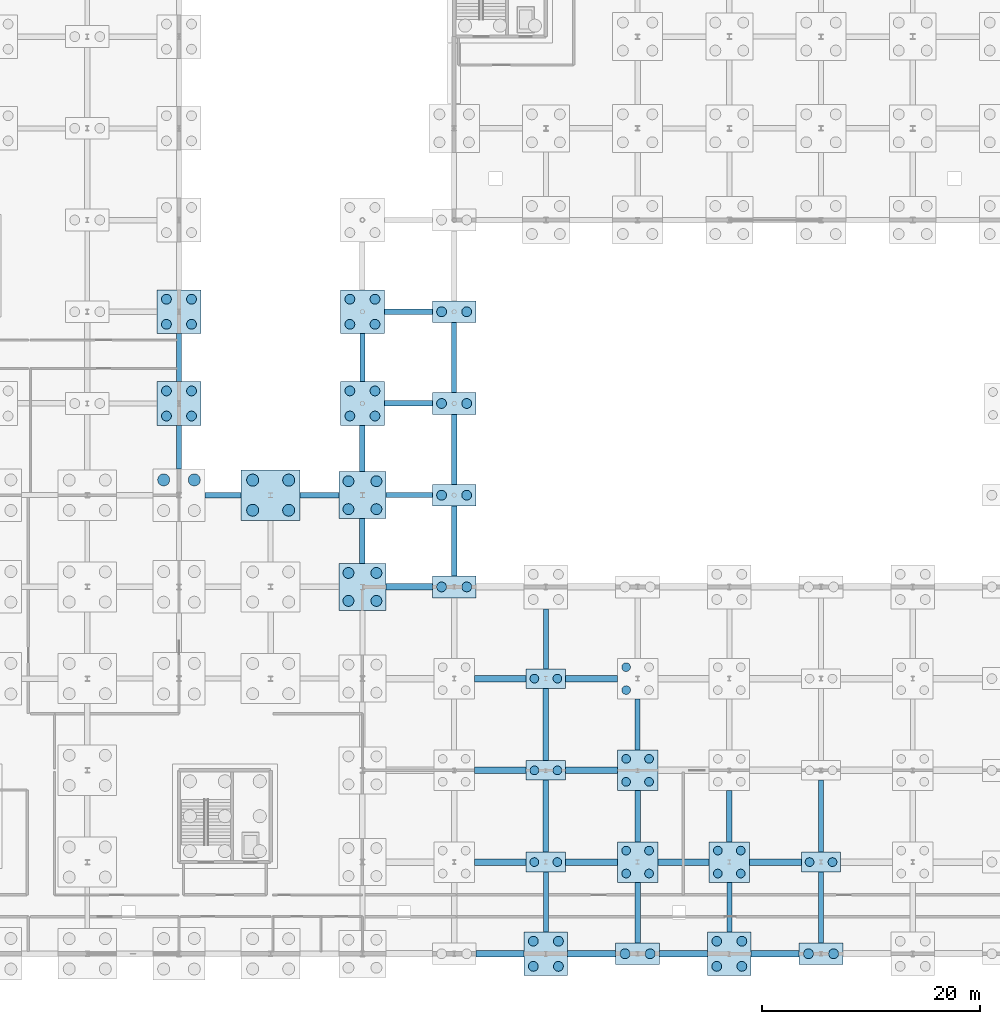
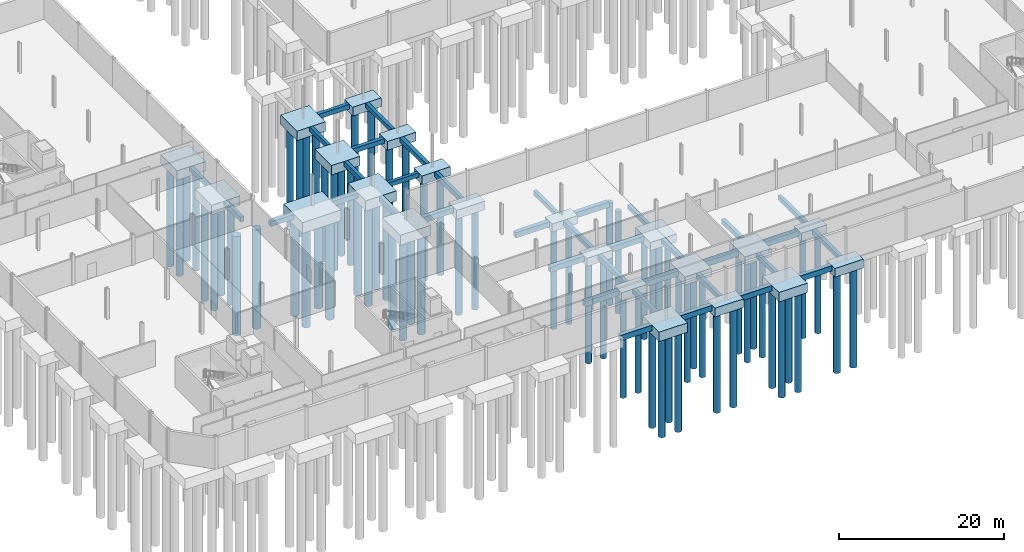
# One storey, part 3 of 51: 72 piles, 59 footings.
"""IFC4 building model written with IfcOpenShell, lengths in metres."""

from ifc_helpers import new_model, si_unit, direction, frame, origin, origin_2d, place, context, subcontext, project, spatial, rectangle, circle, extrude, material, material_profile, profile_set, type_object, element, save


model = new_model("IFC4")

# Units and contexts
model_context = context("Model", 3, precision=1e-05, world=origin(), true_north=direction((0.0, 1.0)))
body_context = subcontext(model_context, "Body", "Model", "MODEL_VIEW")
ifc_project = project(units=[si_unit("LENGTHUNIT", "METRE"), si_unit("AREAUNIT", "SQUARE_METRE"), si_unit("VOLUMEUNIT", "CUBIC_METRE"), si_unit("PLANEANGLEUNIT", "RADIAN"), si_unit("MASSUNIT", "GRAM", prefix="KILO")], contexts=[model_context])

# Site, building, storey
site_placement = place(None, origin())
site = spatial("IfcSite", under=ifc_project, at=site_placement, CompositionType="ELEMENT")
building_placement = place(site_placement, origin())
building = spatial("IfcBuilding", under=site, at=building_placement, Name="Qalvenar Corner Mobility Hub", CompositionType="ELEMENT")
storey_placement = place(building_placement, frame((0.0, 0.0, -4.5)))
storey = spatial("IfcBuildingStorey", under=building, at=storey_placement, Name="B1", CompositionType="ELEMENT", Elevation=-4.5)

# Footings
ifc_material = material(Name="Concrete C40/50", Category="concrete")
footing_type_1 = type_object("IfcFootingType", Name="PC-24X24X12", PredefinedType="PILE_CAP", material=ifc_material)
for number, where, z_axis, x_axis, name in (
    (1, (67.199951171875, 8.39990234375, -1.5498046875), (0.0, 0.0, 1.0), (1.0, 0.0, 0.0), "Pile Cap G9-1"),
    (2, (67.199951171875, 16.800048828125, -1.5498046875), (0.0, 0.0, 1.0), (1.0, 0.0, 0.0), "Pile Cap G9-2"),
    (3, (67.199951171875, 25.199951171875, -1.5498046875), (0.0, 0.0, 1.0), (1.0, 0.0, 0.0), "Pile Cap G9-3"),
    (4, (92.39990234375, 8.39990234375, -1.5498046875), (0.0, 0.0, 1.0), (1.0, 0.0, 0.0), "Pile Cap G12-1"),
):
    element("IfcFooting", number, at=place(storey_placement, frame(where, z_axis=z_axis, x_axis=x_axis)), inside=storey, type_object=footing_type_1, Name=name, PredefinedType="PILE_CAP", context=body_context, shape_type="SweptSolid", body=[
        extrude(rectangle(XDim=3.60009765625, YDim=1.800048828125, at=origin_2d()), origin(), (0.0, 0.0, 1.0), 1.199951171875),
    ])
footing_type_2 = type_object("IfcFootingType", Name="PC-28X28X12", PredefinedType="PILE_CAP", material=ifc_material)
for number, where, z_axis, x_axis, name in (
    (5, (75.60009765625, 8.39990234375, -1.5498046875), (0.0, 0.0, 1.0), (1.0, 0.0, 0.0), "Pile Cap G10-1"),
    (6, (75.60009765625, 16.800048828125, -1.5498046875), (0.0, 0.0, 1.0), (1.0, 0.0, 0.0), "Pile Cap G10-2"),
    (7, (84.0, 8.39990234375, -1.5498046875), (0.0, 0.0, 1.0), (1.0, 0.0, 0.0), "Pile Cap G11-1"),
):
    element("IfcFooting", number, at=place(storey_placement, frame(where, z_axis=z_axis, x_axis=x_axis)), inside=storey, type_object=footing_type_2, Name=name, PredefinedType="PILE_CAP", context=body_context, shape_type="SweptSolid", body=[
        extrude(rectangle(XDim=3.699951171875, YDim=3.699951171875, at=origin_2d()), origin(), (0.0, 0.0, 1.0), 1.199951171875),
    ])
footing_type_3 = type_object("IfcFootingType", Name="PC-32X24X13", PredefinedType="PILE_CAP", material=ifc_material)
for number, where, z_axis, x_axis, name in (
    (8, (58.800048828125, 33.60009765625, -1.64990234375), (0.0, 0.0, 1.0), (1.0, 0.0, 0.0), "Pile Cap G8-4"),
    (9, (58.800048828125, 42.0, -1.64990234375), (0.0, 0.0, 1.0), (1.0, 0.0, 0.0), "Pile Cap G8-5"),
    (10, (58.800048828125, 50.39990234375, -1.64990234375), (0.0, 0.0, 1.0), (1.0, 0.0, 0.0), "Pile Cap G8-6"),
    (11, (58.800048828125, 58.800048828125, -1.64990234375), (0.0, 0.0, 1.0), (1.0, 0.0, 0.0), "Pile Cap G8-7"),
    (12, (75.60009765625, 0.0, -1.64990234375), (0.0, 0.0, 1.0), (1.0, 0.0, 0.0), "Pile Cap G10-0"),
    (13, (92.39990234375, 0.0, -1.64990234375), (0.0, 0.0, 1.0), (1.0, 0.0, 0.0), "Pile Cap G12-0"),
):
    element("IfcFooting", number, at=place(storey_placement, frame(where, z_axis=z_axis, x_axis=x_axis)), inside=storey, type_object=footing_type_3, Name=name, PredefinedType="PILE_CAP", context=body_context, shape_type="SweptSolid", body=[
        extrude(rectangle(XDim=4.0, YDim=2.0, at=origin_2d()), origin(), (0.0, 0.0, 1.0), 1.300048828125),
    ])
footing_type_4 = type_object("IfcFootingType", Name="PC-34X34X14", PredefinedType="PILE_CAP", material=ifc_material)
for number, where, z_axis, x_axis, name in (
    (14, (33.60009765625, 50.39990234375, -1.75), (0.0, 0.0, 1.0), (1.0, 0.0, 0.0), "Pile Cap G5-6"),
    (15, (33.60009765625, 58.800048828125, -1.75), (0.0, 0.0, 1.0), (1.0, 0.0, 0.0), "Pile Cap G5-7"),
    (16, (50.39990234375, 50.39990234375, -1.75), (0.0, 0.0, 1.0), (1.0, 0.0, 0.0), "Pile Cap G7-6"),
    (17, (50.39990234375, 58.800048828125, -1.75), (0.0, 0.0, 1.0), (1.0, 0.0, 0.0), "Pile Cap G7-7"),
    (18, (67.199951171875, 0.0, -1.75), (0.0, 0.0, 1.0), (1.0, 0.0, 0.0), "Pile Cap G9-0"),
    (19, (84.0, 0.0, -1.75), (0.0, 0.0, 1.0), (1.0, 0.0, 0.0), "Pile Cap G11-0"),
):
    element("IfcFooting", number, at=place(storey_placement, frame(where, z_axis=z_axis, x_axis=x_axis)), inside=storey, type_object=footing_type_4, Name=name, PredefinedType="PILE_CAP", context=body_context, shape_type="SweptSolid", body=[
        extrude(rectangle(XDim=4.0, YDim=4.0, at=origin_2d()), origin(), (0.0, 0.0, 1.0), 1.39990234375),
    ])
footing_type_5 = type_object("IfcFootingType", Name="PC-38X38X15", PredefinedType="PILE_CAP", material=ifc_material)
for number, where, z_axis, x_axis, name in (
    (20, (50.39990234375, 33.60009765625, -1.85009765625), (0.0, 0.0, 1.0), (1.0, 0.0, 0.0), "Pile Cap G7-4"),
    (21, (50.39990234375, 42.0, -1.85009765625), (0.0, 0.0, 1.0), (1.0, 0.0, 0.0), "Pile Cap G7-5"),
):
    element("IfcFooting", number, at=place(storey_placement, frame(where, z_axis=z_axis, x_axis=x_axis)), inside=storey, type_object=footing_type_5, Name=name, PredefinedType="PILE_CAP", context=body_context, shape_type="SweptSolid", body=[
        extrude(rectangle(XDim=4.300048828125, YDim=4.300048828125, at=origin_2d()), origin(), (0.0, 0.0, 1.0), 1.5),
    ])
footing_type_6 = type_object("IfcFootingType", Name="PC-52X42X16", PredefinedType="PILE_CAP", material=ifc_material)
footing_1_placement = place(storey_placement, frame((42.0, 42.0, -1.949951171875), z_axis=(0.0, 0.0, 1.0), x_axis=(1.0, 0.0, 0.0)))
element("IfcFooting", 22, at=footing_1_placement, inside=storey, type_object=footing_type_6, Name="Pile Cap G6-5", PredefinedType="PILE_CAP", context=body_context, shape_type="SweptSolid", body=[
    extrude(rectangle(XDim=5.39990234375, YDim=4.60009765625, at=origin_2d()), origin(), (0.0, 0.0, 1.0), 1.60009765625),
])

# Piles
ifc_material_profile_1 = material_profile(ifc_material, circle(Radius=0.5, at=origin_2d()), Name="DIA1000")
ifc_profile_set_1 = profile_set([ifc_material_profile_1], Name="Concrete C40/50")
pile_type_1 = type_object("IfcPileType", Name="PILE-1000", PredefinedType="BORED", material=ifc_profile_set_1)
for number, where, z_axis, x_axis, name in (
    (23, (49.1201171875, 32.320068359375, -1.699951171875), (0.0, 0.0, -1.0), (1.0, 0.0, 0.0), "Bored Pile G7-4-1"),
    (24, (49.1201171875, 34.8798828125, -1.699951171875), (0.0, 0.0, -1.0), (1.0, 0.0, 0.0), "Bored Pile G7-4-2"),
    (25, (51.679931640625, 32.320068359375, -1.699951171875), (0.0, 0.0, -1.0), (1.0, 0.0, 0.0), "Bored Pile G7-4-3"),
    (26, (51.679931640625, 34.8798828125, -1.699951171875), (0.0, 0.0, -1.0), (1.0, 0.0, 0.0), "Bored Pile G7-4-4"),
    (27, (49.1201171875, 40.719970703125, -1.699951171875), (0.0, 0.0, -1.0), (1.0, 0.0, 0.0), "Bored Pile G7-5-1"),
    (28, (49.1201171875, 43.280029296875, -1.699951171875), (0.0, 0.0, -1.0), (1.0, 0.0, 0.0), "Bored Pile G7-5-2"),
    (29, (51.679931640625, 40.719970703125, -1.699951171875), (0.0, 0.0, -1.0), (1.0, 0.0, 0.0), "Bored Pile G7-5-3"),
    (30, (51.679931640625, 43.280029296875, -1.699951171875), (0.0, 0.0, -1.0), (1.0, 0.0, 0.0), "Bored Pile G7-5-4"),
):
    element("IfcPile", number, at=place(storey_placement, frame(where, z_axis=z_axis, x_axis=x_axis)), inside=storey, type_object=pile_type_1, Name=name, PredefinedType="BORED", context=body_context, shape_type="SweptSolid", body=[
        extrude(circle(Radius=0.5, at=origin_2d()), origin(), (0.0, 0.0, 1.0), 14.800048828125),
    ])
ifc_material_profile_2 = material_profile(ifc_material, circle(Radius=0.550048828125, at=origin_2d()), Name="DIA1100")
ifc_profile_set_2 = profile_set([ifc_material_profile_2], Name="Concrete C40/50")
pile_type_2 = type_object("IfcPileType", Name="PILE-1100", PredefinedType="BORED", material=ifc_profile_set_2)
for number, where, z_axis, x_axis, name in (
    (31, (32.199951171875, 43.39990234375, -1.800048828125), (0.0, 0.0, -1.0), (1.0, 0.0, 0.0), "Bored Pile G5-5-2"),
    (32, (35.0, 43.39990234375, -1.800048828125), (0.0, 0.0, -1.0), (1.0, 0.0, 0.0), "Bored Pile G5-5-4"),
    (33, (40.35009765625, 40.6201171875, -1.800048828125), (0.0, 0.0, -1.0), (1.0, 0.0, 0.0), "Bored Pile G6-5-1"),
    (34, (40.35009765625, 43.3798828125, -1.800048828125), (0.0, 0.0, -1.0), (1.0, 0.0, 0.0), "Bored Pile G6-5-2"),
    (35, (43.64990234375, 40.6201171875, -1.800048828125), (0.0, 0.0, -1.0), (1.0, 0.0, 0.0), "Bored Pile G6-5-3"),
    (36, (43.64990234375, 43.3798828125, -1.800048828125), (0.0, 0.0, -1.0), (1.0, 0.0, 0.0), "Bored Pile G6-5-4"),
):
    element("IfcPile", number, at=place(storey_placement, frame(where, z_axis=z_axis, x_axis=x_axis)), inside=storey, type_object=pile_type_2, Name=name, PredefinedType="BORED", context=body_context, shape_type="SweptSolid", body=[
        extrude(circle(Radius=0.550048828125, at=origin_2d()), origin(), (0.0, 0.0, 1.0), 14.699951171875),
    ])
ifc_material_profile_3 = material_profile(ifc_material, circle(Radius=0.39990234375, at=origin_2d()), Name="DIA800")
ifc_profile_set_3 = profile_set([ifc_material_profile_3], Name="Concrete C40/50")
pile_type_3 = type_object("IfcPileType", Name="PILE-800", PredefinedType="BORED", material=ifc_profile_set_3)
for number, where, z_axis, x_axis, name in (
    (37, (66.14990234375, 8.39990234375, -1.39990234375), (0.0, 0.0, -1.0), (1.0, 0.0, 0.0), "Bored Pile G9-1-1"),
    (38, (68.25, 8.39990234375, -1.39990234375), (0.0, 0.0, -1.0), (1.0, 0.0, 0.0), "Bored Pile G9-1-2"),
    (39, (66.14990234375, 16.800048828125, -1.39990234375), (0.0, 0.0, -1.0), (1.0, 0.0, 0.0), "Bored Pile G9-2-1"),
    (40, (68.25, 16.800048828125, -1.39990234375), (0.0, 0.0, -1.0), (1.0, 0.0, 0.0), "Bored Pile G9-2-2"),
    (41, (66.14990234375, 25.199951171875, -1.39990234375), (0.0, 0.0, -1.0), (1.0, 0.0, 0.0), "Bored Pile G9-3-1"),
    (42, (68.25, 25.199951171875, -1.39990234375), (0.0, 0.0, -1.0), (1.0, 0.0, 0.0), "Bored Pile G9-3-2"),
    (43, (74.550048828125, 7.35009765625, -1.39990234375), (0.0, 0.0, -1.0), (1.0, 0.0, 0.0), "Bored Pile G10-1-1"),
    (44, (74.550048828125, 9.449951171875, -1.39990234375), (0.0, 0.0, -1.0), (1.0, 0.0, 0.0), "Bored Pile G10-1-2"),
    (45, (76.64990234375, 7.35009765625, -1.39990234375), (0.0, 0.0, -1.0), (1.0, 0.0, 0.0), "Bored Pile G10-1-3"),
    (46, (76.64990234375, 9.449951171875, -1.39990234375), (0.0, 0.0, -1.0), (1.0, 0.0, 0.0), "Bored Pile G10-1-4"),
    (47, (74.550048828125, 15.75, -1.39990234375), (0.0, 0.0, -1.0), (1.0, 0.0, 0.0), "Bored Pile G10-2-1"),
    (48, (74.550048828125, 17.85009765625, -1.39990234375), (0.0, 0.0, -1.0), (1.0, 0.0, 0.0), "Bored Pile G10-2-2"),
    (49, (76.64990234375, 15.75, -1.39990234375), (0.0, 0.0, -1.0), (1.0, 0.0, 0.0), "Bored Pile G10-2-3"),
    (50, (76.64990234375, 17.85009765625, -1.39990234375), (0.0, 0.0, -1.0), (1.0, 0.0, 0.0), "Bored Pile G10-2-4"),
    (51, (74.550048828125, 24.14990234375, -1.39990234375), (0.0, 0.0, -1.0), (1.0, 0.0, 0.0), "Bored Pile G10-3-1"),
    (52, (74.550048828125, 26.25, -1.39990234375), (0.0, 0.0, -1.0), (1.0, 0.0, 0.0), "Bored Pile G10-3-2"),
    (53, (82.949951171875, 7.35009765625, -1.39990234375), (0.0, 0.0, -1.0), (1.0, 0.0, 0.0), "Bored Pile G11-1-1"),
    (54, (82.949951171875, 9.449951171875, -1.39990234375), (0.0, 0.0, -1.0), (1.0, 0.0, 0.0), "Bored Pile G11-1-2"),
    (55, (85.050048828125, 7.35009765625, -1.39990234375), (0.0, 0.0, -1.0), (1.0, 0.0, 0.0), "Bored Pile G11-1-3"),
    (56, (85.050048828125, 9.449951171875, -1.39990234375), (0.0, 0.0, -1.0), (1.0, 0.0, 0.0), "Bored Pile G11-1-4"),
    (57, (91.35009765625, 8.39990234375, -1.39990234375), (0.0, 0.0, -1.0), (1.0, 0.0, 0.0), "Bored Pile G12-1-1"),
    (58, (93.449951171875, 8.39990234375, -1.39990234375), (0.0, 0.0, -1.0), (1.0, 0.0, 0.0), "Bored Pile G12-1-2"),
):
    element("IfcPile", number, at=place(storey_placement, frame(where, z_axis=z_axis, x_axis=x_axis)), inside=storey, type_object=pile_type_3, Name=name, PredefinedType="BORED", context=body_context, shape_type="SweptSolid", body=[
        extrude(circle(Radius=0.39990234375, at=origin_2d()), origin(), (0.0, 0.0, 1.0), 15.10009765625),
    ])
ifc_material_profile_4 = material_profile(ifc_material, circle(Radius=0.449951171875, at=origin_2d()), Name="DIA900")
ifc_profile_set_4 = profile_set([ifc_material_profile_4], Name="Concrete C40/50")
pile_type_4 = type_object("IfcPileType", Name="PILE-900", PredefinedType="BORED", material=ifc_profile_set_4)
for number, where, z_axis, x_axis, name in (
    (59, (32.449951171875, 49.25, -1.60009765625), (0.0, 0.0, -1.0), (1.0, 0.0, 0.0), "Bored Pile G5-6-1"),
    (60, (32.449951171875, 51.550048828125, -1.60009765625), (0.0, 0.0, -1.0), (1.0, 0.0, 0.0), "Bored Pile G5-6-2"),
    (61, (34.75, 49.25, -1.60009765625), (0.0, 0.0, -1.0), (1.0, 0.0, 0.0), "Bored Pile G5-6-3"),
    (62, (34.75, 51.550048828125, -1.60009765625), (0.0, 0.0, -1.0), (1.0, 0.0, 0.0), "Bored Pile G5-6-4"),
    (63, (32.449951171875, 57.64990234375, -1.60009765625), (0.0, 0.0, -1.0), (1.0, 0.0, 0.0), "Bored Pile G5-7-1"),
    (64, (32.449951171875, 59.949951171875, -1.60009765625), (0.0, 0.0, -1.0), (1.0, 0.0, 0.0), "Bored Pile G5-7-2"),
    (65, (34.75, 57.64990234375, -1.60009765625), (0.0, 0.0, -1.0), (1.0, 0.0, 0.0), "Bored Pile G5-7-3"),
    (66, (34.75, 59.949951171875, -1.60009765625), (0.0, 0.0, -1.0), (1.0, 0.0, 0.0), "Bored Pile G5-7-4"),
    (67, (49.25, 49.25, -1.60009765625), (0.0, 0.0, -1.0), (1.0, 0.0, 0.0), "Bored Pile G7-6-1"),
    (68, (49.25, 51.550048828125, -1.60009765625), (0.0, 0.0, -1.0), (1.0, 0.0, 0.0), "Bored Pile G7-6-2"),
    (69, (51.550048828125, 49.25, -1.60009765625), (0.0, 0.0, -1.0), (1.0, 0.0, 0.0), "Bored Pile G7-6-3"),
    (70, (51.550048828125, 51.550048828125, -1.60009765625), (0.0, 0.0, -1.0), (1.0, 0.0, 0.0), "Bored Pile G7-6-4"),
    (71, (49.25, 57.64990234375, -1.60009765625), (0.0, 0.0, -1.0), (1.0, 0.0, 0.0), "Bored Pile G7-7-1"),
    (72, (49.25, 59.949951171875, -1.60009765625), (0.0, 0.0, -1.0), (1.0, 0.0, 0.0), "Bored Pile G7-7-2"),
    (73, (51.550048828125, 57.64990234375, -1.60009765625), (0.0, 0.0, -1.0), (1.0, 0.0, 0.0), "Bored Pile G7-7-3"),
    (74, (51.550048828125, 59.949951171875, -1.60009765625), (0.0, 0.0, -1.0), (1.0, 0.0, 0.0), "Bored Pile G7-7-4"),
):
    element("IfcPile", number, at=place(storey_placement, frame(where, z_axis=z_axis, x_axis=x_axis)), inside=storey, type_object=pile_type_4, Name=name, PredefinedType="BORED", context=body_context, shape_type="SweptSolid", body=[
        extrude(circle(Radius=0.449951171875, at=origin_2d()), origin(), (0.0, 0.0, 1.0), 14.89990234375),
    ])
for number, where, z_axis, x_axis, name in (
    (75, (57.64990234375, 33.60009765625, -1.5), (0.0, 0.0, -1.0), (1.0, 0.0, 0.0), "Bored Pile G8-4-1"),
    (76, (59.949951171875, 33.60009765625, -1.5), (0.0, 0.0, -1.0), (1.0, 0.0, 0.0), "Bored Pile G8-4-2"),
    (77, (57.64990234375, 42.0, -1.5), (0.0, 0.0, -1.0), (1.0, 0.0, 0.0), "Bored Pile G8-5-1"),
    (78, (59.949951171875, 42.0, -1.5), (0.0, 0.0, -1.0), (1.0, 0.0, 0.0), "Bored Pile G8-5-2"),
    (79, (57.64990234375, 50.39990234375, -1.5), (0.0, 0.0, -1.0), (1.0, 0.0, 0.0), "Bored Pile G8-6-1"),
    (80, (59.949951171875, 50.39990234375, -1.5), (0.0, 0.0, -1.0), (1.0, 0.0, 0.0), "Bored Pile G8-6-2"),
    (81, (57.64990234375, 58.800048828125, -1.5), (0.0, 0.0, -1.0), (1.0, 0.0, 0.0), "Bored Pile G8-7-1"),
    (82, (59.949951171875, 58.800048828125, -1.5), (0.0, 0.0, -1.0), (1.0, 0.0, 0.0), "Bored Pile G8-7-2"),
):
    element("IfcPile", number, at=place(storey_placement, frame(where, z_axis=z_axis, x_axis=x_axis)), inside=storey, type_object=pile_type_4, Name=name, PredefinedType="BORED", context=body_context, shape_type="SweptSolid", body=[
        extrude(circle(Radius=0.449951171875, at=origin_2d()), origin(), (0.0, 0.0, 1.0), 15.0),
    ])
for number, where, z_axis, x_axis, name in (
    (83, (66.050048828125, -1.14990234375, -1.60009765625), (0.0, 0.0, -1.0), (1.0, 0.0, 0.0), "Bored Pile G9-0-1"),
    (84, (66.050048828125, 1.14990234375, -1.60009765625), (0.0, 0.0, -1.0), (1.0, 0.0, 0.0), "Bored Pile G9-0-2"),
    (85, (68.35009765625, -1.14990234375, -1.60009765625), (0.0, 0.0, -1.0), (1.0, 0.0, 0.0), "Bored Pile G9-0-3"),
    (86, (68.35009765625, 1.14990234375, -1.60009765625), (0.0, 0.0, -1.0), (1.0, 0.0, 0.0), "Bored Pile G9-0-4"),
):
    element("IfcPile", number, at=place(storey_placement, frame(where, z_axis=z_axis, x_axis=x_axis)), inside=storey, type_object=pile_type_4, Name=name, PredefinedType="BORED", context=body_context, shape_type="SweptSolid", body=[
        extrude(circle(Radius=0.449951171875, at=origin_2d()), origin(), (0.0, 0.0, 1.0), 14.89990234375),
    ])
for number, where, z_axis, x_axis, name in (
    (87, (74.449951171875, 0.0, -1.5), (0.0, 0.0, -1.0), (1.0, 0.0, 0.0), "Bored Pile G10-0-1"),
    (88, (76.75, 0.0, -1.5), (0.0, 0.0, -1.0), (1.0, 0.0, 0.0), "Bored Pile G10-0-2"),
):
    element("IfcPile", number, at=place(storey_placement, frame(where, z_axis=z_axis, x_axis=x_axis)), inside=storey, type_object=pile_type_4, Name=name, PredefinedType="BORED", context=body_context, shape_type="SweptSolid", body=[
        extrude(circle(Radius=0.449951171875, at=origin_2d()), origin(), (0.0, 0.0, 1.0), 15.0),
    ])
for number, where, z_axis, x_axis, name in (
    (89, (82.85009765625, -1.14990234375, -1.60009765625), (0.0, 0.0, -1.0), (1.0, 0.0, 0.0), "Bored Pile G11-0-1"),
    (90, (82.85009765625, 1.14990234375, -1.60009765625), (0.0, 0.0, -1.0), (1.0, 0.0, 0.0), "Bored Pile G11-0-2"),
    (91, (85.14990234375, -1.14990234375, -1.60009765625), (0.0, 0.0, -1.0), (1.0, 0.0, 0.0), "Bored Pile G11-0-3"),
    (92, (85.14990234375, 1.14990234375, -1.60009765625), (0.0, 0.0, -1.0), (1.0, 0.0, 0.0), "Bored Pile G11-0-4"),
):
    element("IfcPile", number, at=place(storey_placement, frame(where, z_axis=z_axis, x_axis=x_axis)), inside=storey, type_object=pile_type_4, Name=name, PredefinedType="BORED", context=body_context, shape_type="SweptSolid", body=[
        extrude(circle(Radius=0.449951171875, at=origin_2d()), origin(), (0.0, 0.0, 1.0), 14.89990234375),
    ])
for number, where, z_axis, x_axis, name in (
    (93, (91.25, 0.0, -1.5), (0.0, 0.0, -1.0), (1.0, 0.0, 0.0), "Bored Pile G12-0-1"),
    (94, (93.550048828125, 0.0, -1.5), (0.0, 0.0, -1.0), (1.0, 0.0, 0.0), "Bored Pile G12-0-2"),
):
    element("IfcPile", number, at=place(storey_placement, frame(where, z_axis=z_axis, x_axis=x_axis)), inside=storey, type_object=pile_type_4, Name=name, PredefinedType="BORED", context=body_context, shape_type="SweptSolid", body=[
        extrude(circle(Radius=0.449951171875, at=origin_2d()), origin(), (0.0, 0.0, 1.0), 15.0),
    ])

# Footings
ifc_material_profile_5 = material_profile(ifc_material, rectangle(XDim=0.449951171875, YDim=0.64990234375, at=origin_2d()), Name="RC450x650")
ifc_profile_set_5 = profile_set([ifc_material_profile_5], Name="Concrete C40/50")
footing_type_7 = type_object("IfcFootingType", Name="TB-450X650", PredefinedType="FOOTING_BEAM", material=ifc_profile_set_5)
footing_2_placement = place(storey_placement, frame((33.60009765625, 52.39990234375, -0.675048828125), z_axis=(0.0, 1.0, 0.0), x_axis=(-1.0, 0.0, 0.0)))
element("IfcFooting", 95, at=footing_2_placement, inside=storey, type_object=footing_type_7, Name="Foundation Tie Beam TB-072", PredefinedType="FOOTING_BEAM", context=body_context, shape_type="SweptSolid", body=[
    extrude(rectangle(XDim=0.449951171875, YDim=0.64990234375, at=origin_2d()), origin(), (0.0, 0.0, 1.0), 4.400146484375),
])
footing_3_placement = place(storey_placement, frame((52.550048828125, 42.0, -0.675048828125), z_axis=(1.0, 0.0, 0.0), x_axis=(0.0, 1.0, 0.0)))
element("IfcFooting", 96, at=footing_3_placement, inside=storey, type_object=footing_type_7, Name="Foundation Tie Beam TB-093", PredefinedType="FOOTING_BEAM", context=body_context, shape_type="SweptSolid", body=[
    extrude(rectangle(XDim=0.449951171875, YDim=0.64990234375, at=origin_2d()), origin(), (0.0, 0.0, 1.0), 4.25),
])
footing_4_placement = place(storey_placement, frame((50.39990234375, 52.39990234375, -0.675048828125), z_axis=(0.0, 1.0, 0.0), x_axis=(-1.0, 0.0, 0.0)))
element("IfcFooting", 97, at=footing_4_placement, inside=storey, type_object=footing_type_7, Name="Foundation Tie Beam TB-096", PredefinedType="FOOTING_BEAM", context=body_context, shape_type="SweptSolid", body=[
    extrude(rectangle(XDim=0.449951171875, YDim=0.64990234375, at=origin_2d()), origin(), (0.0, 0.0, 1.0), 4.400146484375),
])
footing_5_placement = place(storey_placement, frame((58.800048828125, 51.39990234375, -0.675048828125), z_axis=(0.0, 1.0, 0.0), x_axis=(-1.0, 0.0, 0.0)))
element("IfcFooting", 98, at=footing_5_placement, inside=storey, type_object=footing_type_7, Name="Foundation Tie Beam TB-111", PredefinedType="FOOTING_BEAM", context=body_context, shape_type="SweptSolid", body=[
    extrude(rectangle(XDim=0.449951171875, YDim=0.64990234375, at=origin_2d()), origin(), (0.0, 0.0, 1.0), 6.400146484375),
])
for number, where, z_axis, x_axis, name in (
    (99, (67.199951171875, 2.0, -0.675048828125), (0.0, 1.0, 0.0), (-1.0, 0.0, 0.0), "Foundation Tie Beam TB-120"),
    (100, (67.199951171875, 26.10009765625, -0.675048828125), (0.0, 1.0, 0.0), (-1.0, 0.0, 0.0), "Foundation Tie Beam TB-126"),
):
    element("IfcFooting", number, at=place(storey_placement, frame(where, z_axis=z_axis, x_axis=x_axis)), inside=storey, type_object=footing_type_7, Name=name, PredefinedType="FOOTING_BEAM", context=body_context, shape_type="SweptSolid", body=[
        extrude(rectangle(XDim=0.449951171875, YDim=0.64990234375, at=origin_2d()), origin(), (0.0, 0.0, 1.0), 5.5),
    ])
footing_6_placement = place(storey_placement, frame((75.60009765625, 18.64990234375, -0.675048828125), z_axis=(0.0, 1.0, 0.0), x_axis=(-1.0, 0.0, 0.0)))
element("IfcFooting", 101, at=footing_6_placement, inside=storey, type_object=footing_type_7, Name="Foundation Tie Beam TB-141", PredefinedType="FOOTING_BEAM", context=body_context, shape_type="SweptSolid", body=[
    extrude(rectangle(XDim=0.449951171875, YDim=0.64990234375, at=origin_2d()), origin(), (0.0, 0.0, 1.0), 4.7001953125),
])
footing_7_placement = place(storey_placement, frame((84.0, 2.0, -0.675048828125), z_axis=(0.0, 1.0, 0.0), x_axis=(-1.0, 0.0, 0.0)))
element("IfcFooting", 102, at=footing_7_placement, inside=storey, type_object=footing_type_7, Name="Foundation Tie Beam TB-159", PredefinedType="FOOTING_BEAM", context=body_context, shape_type="SweptSolid", body=[
    extrude(rectangle(XDim=0.449951171875, YDim=0.64990234375, at=origin_2d()), origin(), (0.0, 0.0, 1.0), 4.550048828125),
])
footing_8_placement = place(storey_placement, frame((92.39990234375, 9.300048828125, -0.675048828125), z_axis=(0.0, 1.0, 0.0), x_axis=(-1.0, 0.0, 0.0)))
element("IfcFooting", 103, at=footing_8_placement, inside=storey, type_object=footing_type_7, Name="Foundation Tie Beam TB-183", PredefinedType="FOOTING_BEAM", context=body_context, shape_type="SweptSolid", body=[
    extrude(rectangle(XDim=0.449951171875, YDim=0.64990234375, at=origin_2d()), origin(), (0.0, 0.0, 1.0), 6.599853515625),
])
ifc_material_profile_6 = material_profile(ifc_material, rectangle(XDim=0.5, YDim=0.699951171875, at=origin_2d()), Name="RC500x700")
ifc_profile_set_6 = profile_set([ifc_material_profile_6], Name="Concrete C40/50")
footing_type_8 = type_object("IfcFootingType", Name="TB-500X700", PredefinedType="FOOTING_BEAM", material=ifc_profile_set_6)
footing_9_placement = place(storey_placement, frame((36.0, 42.0, -0.699951171875), z_axis=(1.0, 0.0, 0.0), x_axis=(0.0, 1.0, 0.0)))
element("IfcFooting", 104, at=footing_9_placement, inside=storey, type_object=footing_type_8, Name="Foundation Tie Beam TB-070", PredefinedType="FOOTING_BEAM", context=body_context, shape_type="SweptSolid", body=[
    extrude(rectangle(XDim=0.5, YDim=0.699951171875, at=origin_2d()), origin(), (0.0, 0.0, 1.0), 3.300048828125),
])
footing_10_placement = place(storey_placement, frame((33.60009765625, 44.39990234375, -0.699951171875), z_axis=(0.0, 1.0, 0.0), x_axis=(-1.0, 0.0, 0.0)))
element("IfcFooting", 105, at=footing_10_placement, inside=storey, type_object=footing_type_8, Name="Foundation Tie Beam TB-071", PredefinedType="FOOTING_BEAM", context=body_context, shape_type="SweptSolid", body=[
    extrude(rectangle(XDim=0.5, YDim=0.699951171875, at=origin_2d()), origin(), (0.0, 0.0, 1.0), 4.0),
])
footing_11_placement = place(storey_placement, frame((44.699951171875, 42.0, -0.699951171875), z_axis=(1.0, 0.0, 0.0), x_axis=(0.0, 1.0, 0.0)))
element("IfcFooting", 106, at=footing_11_placement, inside=storey, type_object=footing_type_8, Name="Foundation Tie Beam TB-082", PredefinedType="FOOTING_BEAM", context=body_context, shape_type="SweptSolid", body=[
    extrude(rectangle(XDim=0.5, YDim=0.699951171875, at=origin_2d()), origin(), (0.0, 0.0, 1.0), 3.550048828125),
])
footing_12_placement = place(storey_placement, frame((50.39990234375, 35.75, -0.699951171875), z_axis=(0.0, 1.0, 0.0), x_axis=(-1.0, 0.0, 0.0)))
element("IfcFooting", 107, at=footing_12_placement, inside=storey, type_object=footing_type_8, Name="Foundation Tie Beam TB-092", PredefinedType="FOOTING_BEAM", context=body_context, shape_type="SweptSolid", body=[
    extrude(rectangle(XDim=0.5, YDim=0.699951171875, at=origin_2d()), origin(), (0.0, 0.0, 1.0), 4.10009765625),
])
footing_13_placement = place(storey_placement, frame((50.39990234375, 44.14990234375, -0.699951171875), z_axis=(0.0, 1.0, 0.0), x_axis=(-1.0, 0.0, 0.0)))
element("IfcFooting", 108, at=footing_13_placement, inside=storey, type_object=footing_type_8, Name="Foundation Tie Beam TB-094", PredefinedType="FOOTING_BEAM", context=body_context, shape_type="SweptSolid", body=[
    extrude(rectangle(XDim=0.5, YDim=0.699951171875, at=origin_2d()), origin(), (0.0, 0.0, 1.0), 4.25),
])
for number, where, z_axis, x_axis, name in (
    (109, (52.39990234375, 50.39990234375, -0.699951171875), (1.0, 0.0, 0.0), (0.0, 1.0, 0.0), "Foundation Tie Beam TB-095"),
    (110, (52.39990234375, 58.800048828125, -0.699951171875), (1.0, 0.0, 0.0), (0.0, 1.0, 0.0), "Foundation Tie Beam TB-097"),
):
    element("IfcFooting", number, at=place(storey_placement, frame(where, z_axis=z_axis, x_axis=x_axis)), inside=storey, type_object=footing_type_8, Name=name, PredefinedType="FOOTING_BEAM", context=body_context, shape_type="SweptSolid", body=[
        extrude(rectangle(XDim=0.5, YDim=0.699951171875, at=origin_2d()), origin(), (0.0, 0.0, 1.0), 4.400146484375),
    ])
for number, where, z_axis, x_axis, name in (
    (111, (58.800048828125, 34.60009765625, -0.699951171875), (0.0, 1.0, 0.0), (-1.0, 0.0, 0.0), "Foundation Tie Beam TB-109"),
    (112, (58.800048828125, 43.0, -0.699951171875), (0.0, 1.0, 0.0), (-1.0, 0.0, 0.0), "Foundation Tie Beam TB-110"),
):
    element("IfcFooting", number, at=place(storey_placement, frame(where, z_axis=z_axis, x_axis=x_axis)), inside=storey, type_object=footing_type_8, Name=name, PredefinedType="FOOTING_BEAM", context=body_context, shape_type="SweptSolid", body=[
        extrude(rectangle(XDim=0.5, YDim=0.699951171875, at=origin_2d()), origin(), (0.0, 0.0, 1.0), 6.39990234375),
    ])
footing_14_placement = place(storey_placement, frame((67.199951171875, 9.300048828125, -0.699951171875), z_axis=(0.0, 1.0, 0.0), x_axis=(-1.0, 0.0, 0.0)))
element("IfcFooting", 113, at=footing_14_placement, inside=storey, type_object=footing_type_8, Name="Foundation Tie Beam TB-122", PredefinedType="FOOTING_BEAM", context=body_context, shape_type="SweptSolid", body=[
    extrude(rectangle(XDim=0.5, YDim=0.699951171875, at=origin_2d()), origin(), (0.0, 0.0, 1.0), 6.599853515625),
])
footing_15_placement = place(storey_placement, frame((67.199951171875, 17.699951171875, -0.699951171875), z_axis=(0.0, 1.0, 0.0), x_axis=(-1.0, 0.0, 0.0)))
element("IfcFooting", 114, at=footing_15_placement, inside=storey, type_object=footing_type_8, Name="Foundation Tie Beam TB-124", PredefinedType="FOOTING_BEAM", context=body_context, shape_type="SweptSolid", body=[
    extrude(rectangle(XDim=0.5, YDim=0.699951171875, at=origin_2d()), origin(), (0.0, 0.0, 1.0), 6.60009765625),
])
footing_16_placement = place(storey_placement, frame((75.60009765625, 1.0, -0.699951171875), z_axis=(0.0, 1.0, 0.0), x_axis=(-1.0, 0.0, 0.0)))
element("IfcFooting", 115, at=footing_16_placement, inside=storey, type_object=footing_type_8, Name="Foundation Tie Beam TB-137", PredefinedType="FOOTING_BEAM", context=body_context, shape_type="SweptSolid", body=[
    extrude(rectangle(XDim=0.5, YDim=0.699951171875, at=origin_2d()), origin(), (0.0, 0.0, 1.0), 5.550048828125),
])
for number, where, z_axis, x_axis, name in (
    (116, (75.60009765625, 10.25, -0.699951171875), (0.0, 1.0, 0.0), (-1.0, 0.0, 0.0), "Foundation Tie Beam TB-139"),
    (117, (84.0, 10.25, -0.699951171875), (0.0, 1.0, 0.0), (-1.0, 0.0, 0.0), "Foundation Tie Beam TB-161"),
):
    element("IfcFooting", number, at=place(storey_placement, frame(where, z_axis=z_axis, x_axis=x_axis)), inside=storey, type_object=footing_type_8, Name=name, PredefinedType="FOOTING_BEAM", context=body_context, shape_type="SweptSolid", body=[
        extrude(rectangle(XDim=0.5, YDim=0.699951171875, at=origin_2d()), origin(), (0.0, 0.0, 1.0), 4.699951171875),
    ])
footing_17_placement = place(storey_placement, frame((92.39990234375, 1.0, -0.699951171875), z_axis=(0.0, 1.0, 0.0), x_axis=(-1.0, 0.0, 0.0)))
element("IfcFooting", 118, at=footing_17_placement, inside=storey, type_object=footing_type_8, Name="Foundation Tie Beam TB-181", PredefinedType="FOOTING_BEAM", context=body_context, shape_type="SweptSolid", body=[
    extrude(rectangle(XDim=0.5, YDim=0.699951171875, at=origin_2d()), origin(), (0.0, 0.0, 1.0), 6.5),
])
ifc_material_profile_7 = material_profile(ifc_material, rectangle(XDim=0.60009765625, YDim=0.800048828125, at=origin_2d()), Name="RC600x800")
ifc_profile_set_7 = profile_set([ifc_material_profile_7], Name="Concrete C40/50")
footing_type_9 = type_object("IfcFootingType", Name="TB-600X800", PredefinedType="FOOTING_BEAM", material=ifc_profile_set_7)
footing_18_placement = place(storey_placement, frame((52.550048828125, 33.60009765625, -0.75), z_axis=(1.0, 0.0, 0.0), x_axis=(0.0, 1.0, 0.0)))
element("IfcFooting", 119, at=footing_18_placement, inside=storey, type_object=footing_type_9, Name="Foundation Tie Beam TB-091", PredefinedType="FOOTING_BEAM", context=body_context, shape_type="SweptSolid", body=[
    extrude(rectangle(XDim=0.60009765625, YDim=0.800048828125, at=origin_2d()), origin(), (0.0, 0.0, 1.0), 4.25),
])
footing_19_placement = place(storey_placement, frame((60.800048828125, 0.0, -0.75), z_axis=(1.0, 0.0, 0.0), x_axis=(0.0, 1.0, 0.0)))
element("IfcFooting", 120, at=footing_19_placement, inside=storey, type_object=footing_type_9, Name="Foundation Tie Beam TB-100", PredefinedType="FOOTING_BEAM", context=body_context, shape_type="SweptSolid", body=[
    extrude(rectangle(XDim=0.60009765625, YDim=0.800048828125, at=origin_2d()), origin(), (0.0, 0.0, 1.0), 4.39990234375),
])
for number, where, z_axis, x_axis, name in (
    (121, (60.64990234375, 8.39990234375, -0.75), (1.0, 0.0, 0.0), (0.0, 1.0, 0.0), "Foundation Tie Beam TB-102"),
    (122, (60.64990234375, 16.800048828125, -0.75), (1.0, 0.0, 0.0), (0.0, 1.0, 0.0), "Foundation Tie Beam TB-104"),
    (123, (60.64990234375, 25.199951171875, -0.75), (1.0, 0.0, 0.0), (0.0, 1.0, 0.0), "Foundation Tie Beam TB-106"),
):
    element("IfcFooting", number, at=place(storey_placement, frame(where, z_axis=z_axis, x_axis=x_axis)), inside=storey, type_object=footing_type_9, Name=name, PredefinedType="FOOTING_BEAM", context=body_context, shape_type="SweptSolid", body=[
        extrude(rectangle(XDim=0.60009765625, YDim=0.800048828125, at=origin_2d()), origin(), (0.0, 0.0, 1.0), 4.75),
    ])
footing_20_placement = place(storey_placement, frame((69.199951171875, 0.0, -0.75), z_axis=(1.0, 0.0, 0.0), x_axis=(0.0, 1.0, 0.0)))
element("IfcFooting", 124, at=footing_20_placement, inside=storey, type_object=footing_type_9, Name="Foundation Tie Beam TB-119", PredefinedType="FOOTING_BEAM", context=body_context, shape_type="SweptSolid", body=[
    extrude(rectangle(XDim=0.60009765625, YDim=0.800048828125, at=origin_2d()), origin(), (0.0, 0.0, 1.0), 4.400146484375),
])
for number, where, z_axis, x_axis, name in (
    (125, (69.0, 8.39990234375, -0.75), (1.0, 0.0, 0.0), (0.0, 1.0, 0.0), "Foundation Tie Beam TB-121"),
    (126, (69.0, 16.800048828125, -0.75), (1.0, 0.0, 0.0), (0.0, 1.0, 0.0), "Foundation Tie Beam TB-123"),
    (127, (69.0, 25.199951171875, -0.75), (1.0, 0.0, 0.0), (0.0, 1.0, 0.0), "Foundation Tie Beam TB-125"),
):
    element("IfcFooting", number, at=place(storey_placement, frame(where, z_axis=z_axis, x_axis=x_axis)), inside=storey, type_object=footing_type_9, Name=name, PredefinedType="FOOTING_BEAM", context=body_context, shape_type="SweptSolid", body=[
        extrude(rectangle(XDim=0.60009765625, YDim=0.800048828125, at=origin_2d()), origin(), (0.0, 0.0, 1.0), 4.75),
    ])
footing_21_placement = place(storey_placement, frame((77.60009765625, 0.0, -0.75), z_axis=(1.0, 0.0, 0.0), x_axis=(0.0, 1.0, 0.0)))
element("IfcFooting", 128, at=footing_21_placement, inside=storey, type_object=footing_type_9, Name="Foundation Tie Beam TB-136", PredefinedType="FOOTING_BEAM", context=body_context, shape_type="SweptSolid", body=[
    extrude(rectangle(XDim=0.60009765625, YDim=0.800048828125, at=origin_2d()), origin(), (0.0, 0.0, 1.0), 4.39990234375),
])
footing_22_placement = place(storey_placement, frame((77.449951171875, 8.39990234375, -0.75), z_axis=(1.0, 0.0, 0.0), x_axis=(0.0, 1.0, 0.0)))
element("IfcFooting", 129, at=footing_22_placement, inside=storey, type_object=footing_type_9, Name="Foundation Tie Beam TB-138", PredefinedType="FOOTING_BEAM", context=body_context, shape_type="SweptSolid", body=[
    extrude(rectangle(XDim=0.60009765625, YDim=0.800048828125, at=origin_2d()), origin(), (0.0, 0.0, 1.0), 4.699951171875),
])
footing_23_placement = place(storey_placement, frame((86.0, 0.0, -0.75), z_axis=(1.0, 0.0, 0.0), x_axis=(0.0, 1.0, 0.0)))
element("IfcFooting", 130, at=footing_23_placement, inside=storey, type_object=footing_type_9, Name="Foundation Tie Beam TB-158", PredefinedType="FOOTING_BEAM", context=body_context, shape_type="SweptSolid", body=[
    extrude(rectangle(XDim=0.60009765625, YDim=0.800048828125, at=origin_2d()), origin(), (0.0, 0.0, 1.0), 4.39990234375),
])
footing_24_placement = place(storey_placement, frame((85.85009765625, 8.39990234375, -0.75), z_axis=(1.0, 0.0, 0.0), x_axis=(0.0, 1.0, 0.0)))
element("IfcFooting", 131, at=footing_24_placement, inside=storey, type_object=footing_type_9, Name="Foundation Tie Beam TB-160", PredefinedType="FOOTING_BEAM", context=body_context, shape_type="SweptSolid", body=[
    extrude(rectangle(XDim=0.60009765625, YDim=0.800048828125, at=origin_2d()), origin(), (0.0, 0.0, 1.0), 4.75),
])

save(model, "model.ifc")
